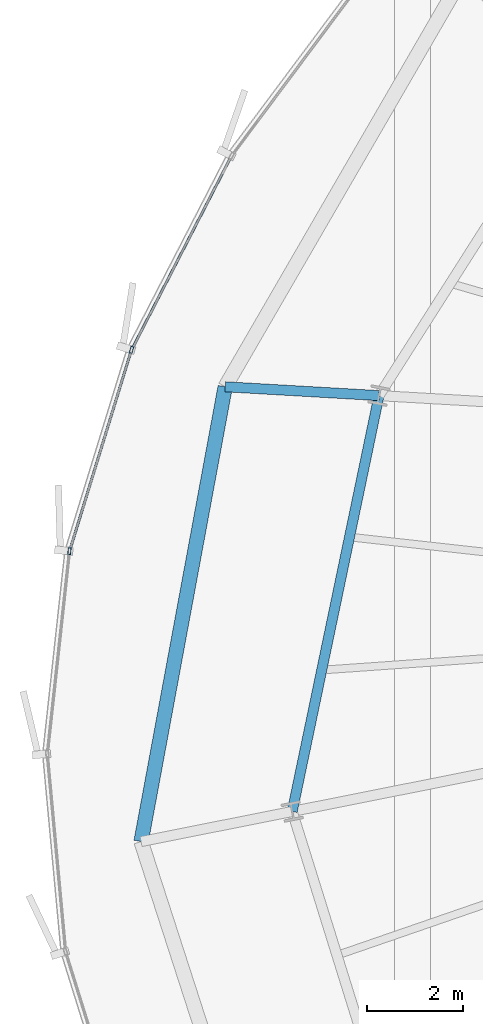
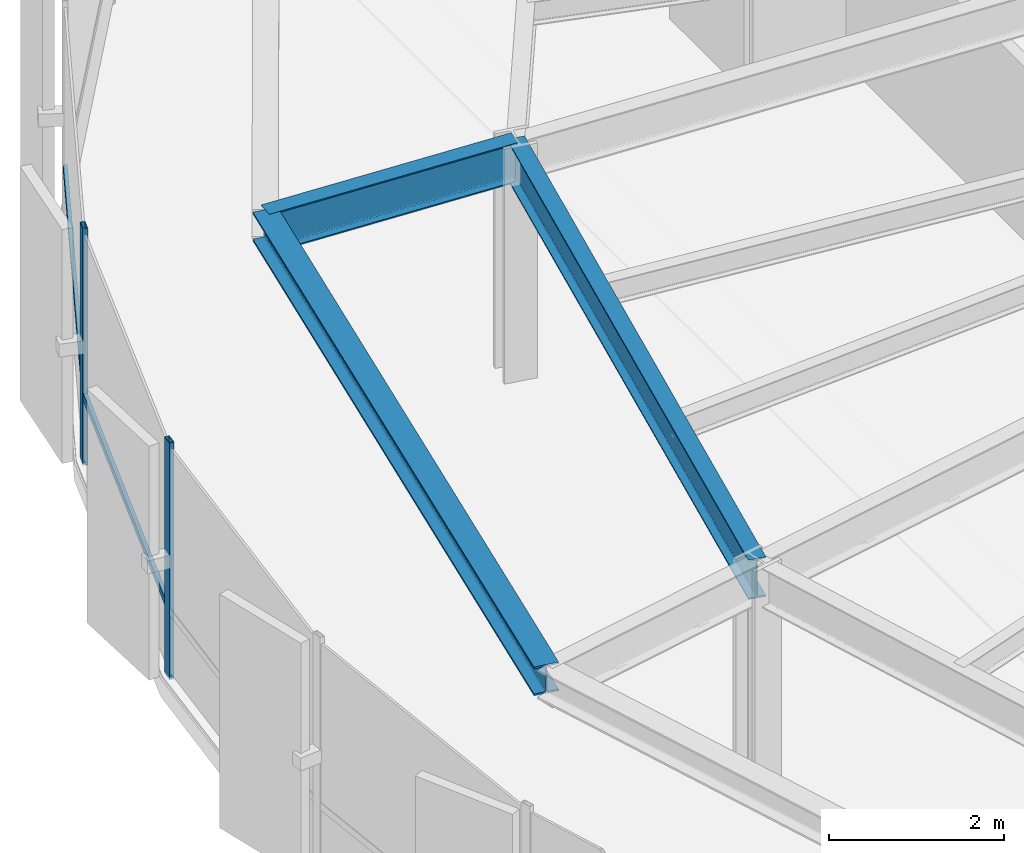
# One storey, part 9 of 34: 4 members, 3 beams, 1 element without a shape of its own.
"""IFC4 building model written with IfcOpenShell, lengths in metres."""

import ifcopenshell
import ifcopenshell.guid

model = None  # the IFC model being written
_history = None  # IfcOwnerHistory: only IFC2X3 demands one
_inside = {}  # id of a spatial element -> (the spatial element, [elements in it])
_under = {}  # id of a project, library or spatial element -> (it, [spatial elements below it])
_declared = {}  # id of a project -> (the project, [libraries it declares])
_typed = {}  # id of a type object -> (the type object, [elements of that type])
_made_of = {}  # id of a material, layer set ... -> (it, [elements and type objects made of it])


def new_model(schema):
    """Start an empty IFC model of exactly this schema.

    Asked for "IFC4X3", IfcOpenShell would pick the latest addendum, in which some entities
    have other attributes; the version numbers below select the first issue.
    IFC2X3 requires an IfcOwnerHistory on every rooted entity: one is made here for all.
    """
    global model, _history
    if schema == "IFC4X3":
        model = ifcopenshell.file(schema_version=(4, 3, 0, 0))
    else:
        model = ifcopenshell.file(schema=schema)
    _inside.clear()
    _under.clear()
    _declared.clear()
    _typed.clear()
    _made_of.clear()
    _history = None
    if model.schema == "IFC2X3":
        org = make("IfcOrganization", Name="unknown")
        user = make(
            "IfcPersonAndOrganization",
            ThePerson=make("IfcPerson", FamilyName="unknown"),
            TheOrganization=org,
        )
        app = make(
            "IfcApplication",
            ApplicationDeveloper=org,
            Version="unknown",
            ApplicationFullName="unknown",
            ApplicationIdentifier="unknown",
        )
        _history = make(
            "IfcOwnerHistory",
            OwningUser=user,
            OwningApplication=app,
            ChangeAction="ADDED",
            CreationDate=0,
        )
    return model


def make(cls, **values):
    """One entity of the class cls with the attributes given. An attribute that is None is left unset."""
    return model.create_entity(
        cls, **{name: value for name, value in values.items() if value is not None}
    )


def rooted(cls, **values):
    """An entity with a GlobalId (a new one), such as an element, a storey or a relation."""
    return make(cls, GlobalId=ifcopenshell.guid.new(), OwnerHistory=_history, **values)


def si_unit(unit_type, name, prefix=None):
    """IfcSIUnit, for example si_unit("LENGTHUNIT", "METRE", prefix="MILLI")."""
    return make("IfcSIUnit", UnitType=unit_type, Prefix=prefix, Name=name)


def assignment(units):
    """IfcUnitAssignment: the units of a project."""
    return None if units is None else make("IfcUnitAssignment", Units=units)


def point(xyz):
    """IfcCartesianPoint."""
    return None if xyz is None else make("IfcCartesianPoint", Coordinates=xyz)


def direction(xyz):
    """IfcDirection."""
    return None if xyz is None else make("IfcDirection", DirectionRatios=xyz)


def frame(location, z_axis=None, x_axis=None):
    """IfcAxis2Placement3D, a coordinate frame: its origin and axes. An axis left out is left unset."""
    return make(
        "IfcAxis2Placement3D",
        Location=point(location),
        Axis=direction(z_axis),
        RefDirection=direction(x_axis),
    )


def frame_2d(location, x_axis=None):
    """IfcAxis2Placement2D, a coordinate frame in the plane: its origin and x axis."""
    return make(
        "IfcAxis2Placement2D", Location=point(location), RefDirection=direction(x_axis)
    )


def origin():
    """The frame at (0, 0, 0) with its axes left unset."""
    return frame((0.0, 0.0, 0.0))


def origin_2d():
    """The frame at (0, 0) in the plane with its x axis left unset."""
    return frame_2d((0.0, 0.0))


def place(relative_to, where):
    """IfcLocalPlacement: puts the frame where relative to a parent placement (None: the world)."""
    return make(
        "IfcLocalPlacement", PlacementRelTo=relative_to, RelativePlacement=where
    )


def context(
    kind, dimensions, precision=None, world=None, true_north=None, identifier=None
):
    """IfcGeometricRepresentationContext, for example the 3D "Model" context."""
    return make(
        "IfcGeometricRepresentationContext",
        ContextIdentifier=identifier,
        ContextType=kind,
        CoordinateSpaceDimension=dimensions,
        Precision=precision,
        WorldCoordinateSystem=world,
        TrueNorth=true_north,
    )


def subcontext(parent, identifier, kind, view, scale=None):
    """IfcGeometricRepresentationSubContext, for example "Body" below "Model"."""
    return make(
        "IfcGeometricRepresentationSubContext",
        ContextIdentifier=identifier,
        ContextType=kind,
        ParentContext=parent,
        TargetScale=scale,
        TargetView=view,
    )


def project(units=None, contexts=None):
    """IfcProject with its units and contexts."""
    return rooted(
        "IfcProject",
        Name="project",
        RepresentationContexts=contexts,
        UnitsInContext=assignment(units),
    )


def spatial(cls, under=None, at=None, **own):
    """A site, building, storey or space (cls), placed at a placement, below another one or the project."""
    s = rooted(cls, ObjectPlacement=at, **own)
    if under is not None:
        _under.setdefault(under.id(), (under, []))[1].append(s)
    return s


def profile(cls, at=None, kind="AREA", **sizes):
    """A parametric profile (cls). Its sizes go by their IFC names, for example OverallWidth=200.0."""
    return make(cls, ProfileType=kind, Position=at, **sizes)


def hollow_rectangle(**sizes):
    """IfcRectangleHollowProfileDef."""
    return profile("IfcRectangleHollowProfileDef", **sizes)


def i_section(**sizes):
    """IfcIShapeProfileDef."""
    return profile("IfcIShapeProfileDef", **sizes)


def extrude(swept, where, along, depth):
    """IfcExtrudedAreaSolid: the profile swept, set in the frame where, extruded along a direction by depth."""
    return make(
        "IfcExtrudedAreaSolid",
        SweptArea=swept,
        Position=where,
        ExtrudedDirection=direction(along),
        Depth=depth,
    )


def shape(context_of_items, identifier, shape_type, items):
    """IfcShapeRepresentation: the items that make up one representation, for example the "Body"."""
    return make(
        "IfcShapeRepresentation",
        ContextOfItems=context_of_items,
        RepresentationIdentifier=identifier,
        RepresentationType=shape_type,
        Items=items,
    )


def source(mapping_origin, context_of_items, identifier, shape_type, items):
    """IfcRepresentationMap: a shape defined once, which mapped items show again and again."""
    return make(
        "IfcRepresentationMap",
        MappingOrigin=mapping_origin,
        MappedRepresentation=shape(context_of_items, identifier, shape_type, items),
    )


def transform(
    local_origin,
    x_axis=None,
    y_axis=None,
    z_axis=None,
    scale=None,
    scale2=None,
    scale3=None,
    uniform=True,
):
    """IfcCartesianTransformationOperator3D, or its non-uniform kind. x_axis, y_axis, z_axis: its Axis1, 2, 3."""
    if uniform:
        return make(
            "IfcCartesianTransformationOperator3D",
            Axis1=direction(x_axis),
            Axis2=direction(y_axis),
            LocalOrigin=point(local_origin),
            Scale=scale,
            Axis3=direction(z_axis),
        )
    return make(
        "IfcCartesianTransformationOperator3DnonUniform",
        Axis1=direction(x_axis),
        Axis2=direction(y_axis),
        LocalOrigin=point(local_origin),
        Scale=scale,
        Axis3=direction(z_axis),
        Scale2=scale2,
        Scale3=scale3,
    )


def mapped(mapping_source, mapping_target):
    """IfcMappedItem: shows the shape of a source again, moved by a transform."""
    return make(
        "IfcMappedItem", MappingSource=mapping_source, MappingTarget=mapping_target
    )


def material(Name=None, Category=None):
    """IfcMaterial."""
    return make("IfcMaterial", Name=Name, Category=Category)


def layer(
    of_material, thickness, ventilated=None, Name=None, Category=None, Priority=None
):
    """IfcMaterialLayer: one layer of a wall or slab, of a material (None: an air gap)."""
    return make(
        "IfcMaterialLayer",
        Material=of_material,
        LayerThickness=thickness,
        IsVentilated=ventilated,
        Name=Name,
        Category=Category,
        Priority=Priority,
    )


def layer_set(layers, Name=None):
    """IfcMaterialLayerSet."""
    return make("IfcMaterialLayerSet", MaterialLayers=layers, LayerSetName=Name)


def material_profile(
    of_material, cross_section, Name=None, Category=None, Priority=None
):
    """IfcMaterialProfile: a cross section and its material."""
    return make(
        "IfcMaterialProfile",
        Name=Name,
        Material=of_material,
        Profile=cross_section,
        Priority=Priority,
        Category=Category,
    )


def profile_set(profiles, Name=None, composite=None):
    """IfcMaterialProfileSet."""
    return make(
        "IfcMaterialProfileSet",
        Name=Name,
        MaterialProfiles=profiles,
        CompositeProfile=composite,
    )


def made_of(thing, what):
    """Note that an element or type object is made of a material, layer set ...; save() writes the relation."""
    if what is not None:
        _made_of.setdefault(what.id(), (what, []))[1].append(thing)
    return thing


def type_object(cls, material=None, **own):
    """A type object (cls), such as IfcWallType, which elements share."""
    return made_of(rooted(cls, **own), material)


def element(
    cls,
    number,
    at=None,
    inside=None,
    cuts=None,
    type_object=None,
    material=None,
    context=None,
    identifier="Body",
    shape_type=None,
    held_by="IfcProductDefinitionShape",
    body=None,
    shapes=None,
    **own,
):
    """One element of the class cls, such as IfcWall. Its Tag is "e" and its number.

    at: its placement. inside: the storey or other place that contains it. cuts: it is an
    opening in that element (IfcRelVoidsElement). A single representation is given by context,
    identifier, shape_type and body (its items); several are given by shapes. held_by: the class
    of the entity that holds the representations. save() writes the other relations.
    """
    e = rooted(cls, Tag="e%d" % number, ObjectPlacement=at, **own)
    if body is not None:
        shapes = [shape(context, identifier, shape_type, body)]
    if shapes is not None:
        e.Representation = make(held_by, Representations=shapes)
    if inside is not None:
        _inside.setdefault(inside.id(), (inside, []))[1].append(e)
    if cuts is not None:
        rooted(
            "IfcRelVoidsElement", RelatingBuildingElement=cuts, RelatedOpeningElement=e
        )
    if type_object is not None:
        _typed.setdefault(type_object.id(), (type_object, []))[1].append(e)
    return made_of(e, material)


def aggregate(whole, parts):
    """IfcRelAggregates: a whole, such as a stair, and the parts it consists of."""
    return rooted("IfcRelAggregates", RelatingObject=whole, RelatedObjects=parts)


def save(model, path):
    """Write the relations noted so far, then the file.

    IfcRelAggregates (storeys below a building ...), IfcRelContainedInSpatialStructure (elements
    in a storey), IfcRelDefinesByType, IfcRelAssociatesMaterial and IfcRelDeclares: one each for
    every whole, place, type object, material and project.
    """
    for whole, parts in _under.values():
        aggregate(whole, parts)
    for where, things in _inside.values():
        rooted(
            "IfcRelContainedInSpatialStructure",
            RelatedElements=things,
            RelatingStructure=where,
        )
    for kind, things in _typed.values():
        rooted("IfcRelDefinesByType", RelatedObjects=things, RelatingType=kind)
    for what, things in _made_of.values():
        rooted("IfcRelAssociatesMaterial", RelatedObjects=things, RelatingMaterial=what)
    for by, libraries in _declared.values():
        rooted("IfcRelDeclares", RelatingContext=by, RelatedDefinitions=libraries)
    model.write(path)


model = new_model("IFC4")

# Units and contexts
model_context = context("Model", 3, precision=1e-05, world=origin(), true_north=direction((0.0, 1.0)))
body_context = subcontext(model_context, "Body", "Model", "MODEL_VIEW")
ifc_project = project(units=[si_unit("LENGTHUNIT", "METRE"), si_unit("AREAUNIT", "SQUARE_METRE"), si_unit("VOLUMEUNIT", "CUBIC_METRE"), si_unit("PLANEANGLEUNIT", "RADIAN"), si_unit("MASSUNIT", "GRAM", prefix="KILO"), si_unit("THERMODYNAMICTEMPERATUREUNIT", "KELVIN")], contexts=[model_context])

# Site, building, storey
site_placement = place(None, origin())
site = spatial("IfcSite", under=ifc_project, at=site_placement, CompositionType="ELEMENT")
building_placement = place(site_placement, origin())
building = spatial("IfcBuilding", under=site, at=building_placement, Name="Kethvar Cultural Tower", CompositionType="ELEMENT")
storey_placement = place(building_placement, frame((0.0, 0.0, 128.800048828125)))
storey = spatial("IfcBuildingStorey", under=building, at=storey_placement, Name="L32", CompositionType="ELEMENT", Elevation=128.800048828125)

# Beams
ifc_material_1 = material(Name="Steel S355J2", Category="steel")
ifc_material_profile_1 = material_profile(ifc_material_1, i_section(OverallWidth=0.2099609375, OverallDepth=0.550048828125, WebThickness=0.010986328125, FlangeThickness=0.01708984375, FilletRadius=0.02392578125, at=origin_2d()), Name="Steel S355J2 — IPE550")
ifc_profile_set_1 = profile_set([ifc_material_profile_1], Name="Steel S355J2 — IPE550")
beam_type_1 = type_object("IfcBeamType", Name="BM-IPE550", PredefinedType="BEAM", material=ifc_profile_set_1)
shared_shape_1 = source(origin(), body_context, "Body", "SweptSolid", [
    extrude(i_section(OverallWidth=0.2099609375, OverallDepth=0.550048828125, WebThickness=0.010986328125, FlangeThickness=0.01708984375, FilletRadius=0.02392578125, at=origin_2d()), origin(), (0.0, 0.0, 1.0), 3.2001953125),
])
beam_1_placement = place(storey_placement, frame((25.988525390625, 31.939697265625, 3.02294921875), z_axis=(-0.998357274949, 0.057295301352, 0.0), x_axis=(-0.057295301352, -0.998357274949, 0.0)))
element("IfcBeam", 1, at=beam_1_placement, inside=storey, type_object=beam_type_1, Name="L32 Perimeter Cantilever Beam RC-08", PredefinedType="BEAM", context=body_context, shape_type="MappedRepresentation", body=[
    mapped(shared_shape_1, transform((0.0, 0.0, 0.0), scale=1.0)),
])
shared_shape_2 = source(origin(), body_context, "Body", "SweptSolid", [
    extrude(i_section(OverallWidth=0.2099609375, OverallDepth=0.550048828125, WebThickness=0.010986328125, FlangeThickness=0.01708984375, FilletRadius=0.02392578125, at=origin_2d()), origin(), (0.0, 0.0, 1.0), 8.82421875),
])
beam_2_placement = place(storey_placement, frame((25.988525390625, 31.939697265625, 3.02294921875), z_axis=(-0.204350879122, -0.978897705688, 0.0), x_axis=(0.978897705688, -0.204350879122, 0.0)))
element("IfcBeam", 2, at=beam_2_placement, inside=storey, type_object=beam_type_1, Name="L32 Column Ring Tie Beam CR-08", PredefinedType="BEAM", context=body_context, shape_type="MappedRepresentation", body=[
    mapped(shared_shape_2, transform((0.0, 0.0, 0.0), scale=1.0)),
])
ifc_material_profile_2 = material_profile(ifc_material_1, i_section(OverallWidth=0.300048828125, OverallDepth=0.39990234375, WebThickness=0.013427734375, FlangeThickness=0.02392578125, FilletRadius=0.027099609375, at=origin_2d()), Name="Steel S355J2 — HEB400")
ifc_profile_set_2 = profile_set([ifc_material_profile_2], Name="Steel S355J2 — HEB400")
beam_type_2 = type_object("IfcBeamType", Name="BM-SP400", PredefinedType="SPANDREL", material=ifc_profile_set_2)
shared_shape_3 = source(origin(), body_context, "Body", "SweptSolid", [
    extrude(i_section(OverallWidth=0.300048828125, OverallDepth=0.39990234375, WebThickness=0.013427734375, FlangeThickness=0.02392578125, FilletRadius=0.027099609375, at=origin_2d()), origin(), (0.0, 0.0, 1.0), 9.605712890625),
])
beam_3_placement = place(storey_placement, frame((22.793701171875, 32.123046875, 3.097900390625), z_axis=(-0.1818526217, -0.983325797476, 0.0), x_axis=(0.983325797476, -0.1818526217, 0.0)))
element("IfcBeam", 3, at=beam_3_placement, inside=storey, type_object=beam_type_2, Name="L32 Perimeter Spandrel Beam SP-08", PredefinedType="SPANDREL", context=body_context, shape_type="MappedRepresentation", body=[
    mapped(shared_shape_3, transform((0.0, 0.0, 0.0), scale=1.0)),
])

# Curtain wall, members
ifc_material_2 = material(Name="Aluminium 6063-T6", Category="aluminium")
ifc_layer = layer(ifc_material_2, 0.179931640625, Name="Aluminium 6063-T6", Category="aluminium")
ifc_layer_set = layer_set([ifc_layer], Name="Aluminium 6063-T6 (180 mm)")
curtain_wall_type = type_object("IfcCurtainWallType", Name="CW-SYS-04-Z34", PredefinedType="NOTDEFINED", material=ifc_layer_set)
curtain_wall_placement = place(storey_placement, origin())
curtain_wall = element("IfcCurtainWall", 4, at=curtain_wall_placement, inside=storey, type_object=curtain_wall_type, Name="L32 Curtain Wall Run 03", PredefinedType="NOTDEFINED")
ifc_material_profile_3 = material_profile(ifc_material_2, hollow_rectangle(XDim=0.06005859375, YDim=0.139892578125, WallThickness=0.0048828125, at=origin_2d()), Name="Aluminium 6063-T6 — RHS140x60x5")
ifc_profile_set_3 = profile_set([ifc_material_profile_3], Name="Aluminium 6063-T6 — RHS140x60x5")
member_type_1 = type_object("IfcMemberType", Name="CW-SYS-04-Z34-MUL", PredefinedType="MULLION", material=ifc_profile_set_3)
shared_shape_4 = source(origin(), body_context, "Body", "SweptSolid", [
    extrude(hollow_rectangle(XDim=0.06005859375, YDim=0.139892578125, WallThickness=0.0048828125, at=origin_2d()), origin(), (0.0, 0.0, 1.0), 3.300048828125),
])
member_1_placement = place(storey_placement, frame((20.84765625, 32.890869140625, 0.0), z_axis=(0.0, 0.0, 1.0), x_axis=(0.955782750272, -0.294073688523, 0.0)))
member_1 = element("IfcMember", 5, at=member_1_placement, type_object=member_type_1, Name="CW-L32-R03 Mullion 3", PredefinedType="MULLION", context=body_context, shape_type="MappedRepresentation", body=[
    mapped(shared_shape_4, transform((0.0, 0.0, 0.0), scale=1.0)),
])
member_2_placement = place(storey_placement, frame((19.558837890625, 28.708740234375, 0.0), z_axis=(0.0, 0.0, 1.0), x_axis=(0.994088595918, -0.108571927611, 0.0)))
member_2 = element("IfcMember", 6, at=member_2_placement, type_object=member_type_1, Name="CW-L32-R03 Mullion 4", PredefinedType="MULLION", context=body_context, shape_type="MappedRepresentation", body=[
    mapped(shared_shape_4, transform((0.0, 0.0, 0.0), scale=1.0)),
])
ifc_material_profile_4 = material_profile(ifc_material_2, hollow_rectangle(XDim=0.050048828125, YDim=0.10009765625, WallThickness=0.00390625, at=origin_2d()), Name="Aluminium 6063-T6 — RHS100x50x4")
ifc_profile_set_4 = profile_set([ifc_material_profile_4], Name="Aluminium 6063-T6 — RHS100x50x4")
member_type_2 = type_object("IfcMemberType", Name="CW-SYS-04-Z34-TRN", PredefinedType="USERDEFINED", material=ifc_profile_set_4)
shared_shape_5 = source(origin(), body_context, "Body", "SweptSolid", [
    extrude(hollow_rectangle(XDim=0.050048828125, YDim=0.10009765625, WallThickness=0.00390625, at=origin_2d()), origin(), (0.0, 0.0, 1.0), 4.4658203125),
])
member_3_placement = place(storey_placement, frame((22.9052734375, 36.881103515625, 0.949951171875), z_axis=(-0.45796182646, -0.888971858669, 0.0), x_axis=(0.888971858669, -0.45796182646, 0.0)))
member_3 = element("IfcMember", 7, at=member_3_placement, type_object=member_type_2, Name="CW-L32-R03 Transom 2", ObjectType="TRANSOM", PredefinedType="USERDEFINED", context=body_context, shape_type="MappedRepresentation", body=[
    mapped(shared_shape_5, transform((0.0, 0.0, 0.0), scale=1.0)),
])
shared_shape_6 = source(origin(), body_context, "Body", "SweptSolid", [
    extrude(hollow_rectangle(XDim=0.050048828125, YDim=0.10009765625, WallThickness=0.00390625, at=origin_2d()), origin(), (0.0, 0.0, 1.0), 4.310791015625),
])
member_4_placement = place(storey_placement, frame((20.8349609375, 32.849609375, 0.949951171875), z_axis=(-0.294054010069, -0.955788804686, 0.0), x_axis=(0.955788804686, -0.294054010069, 0.0)))
member_4 = element("IfcMember", 8, at=member_4_placement, type_object=member_type_2, Name="CW-L32-R03 Transom 3", ObjectType="TRANSOM", PredefinedType="USERDEFINED", context=body_context, shape_type="MappedRepresentation", body=[
    mapped(shared_shape_6, transform((0.0, 0.0, 0.0), scale=1.0)),
])
aggregate(curtain_wall, [member_1, member_2, member_3, member_4])

save(model, "model.ifc")
